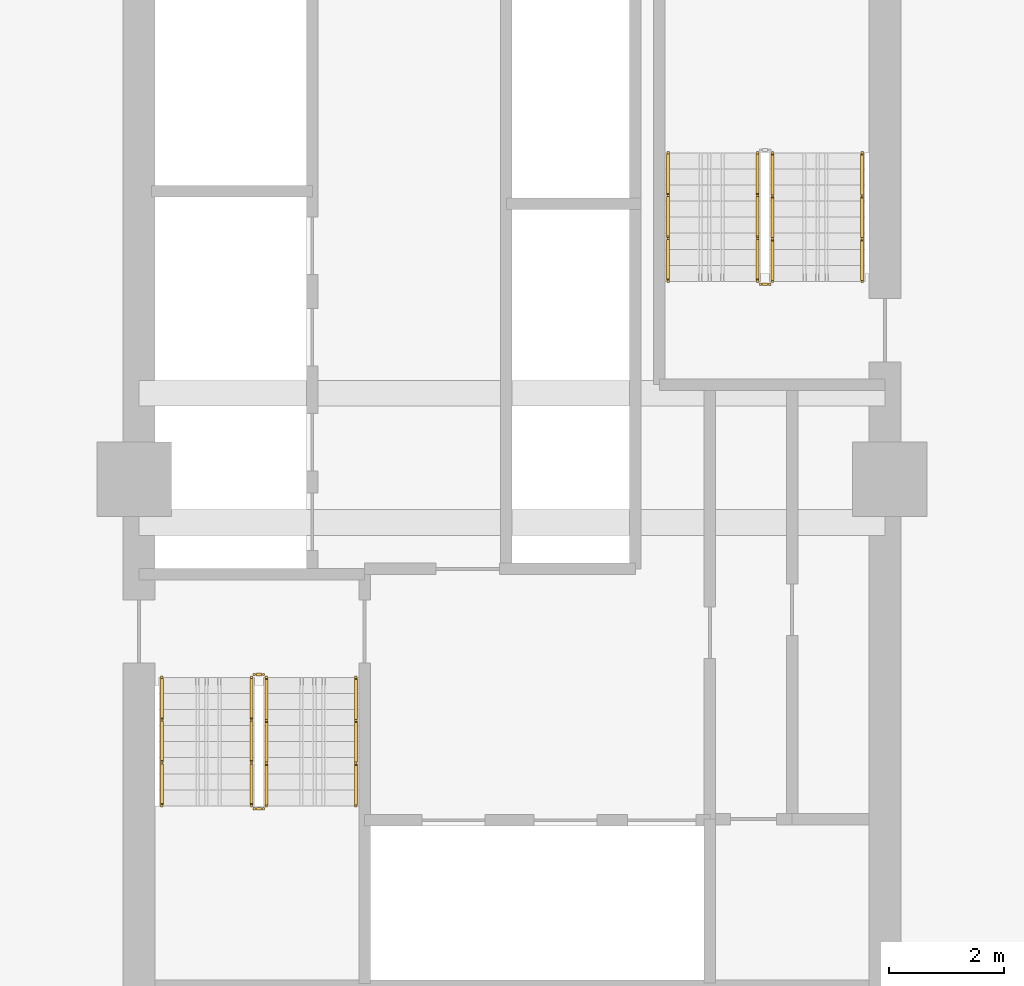
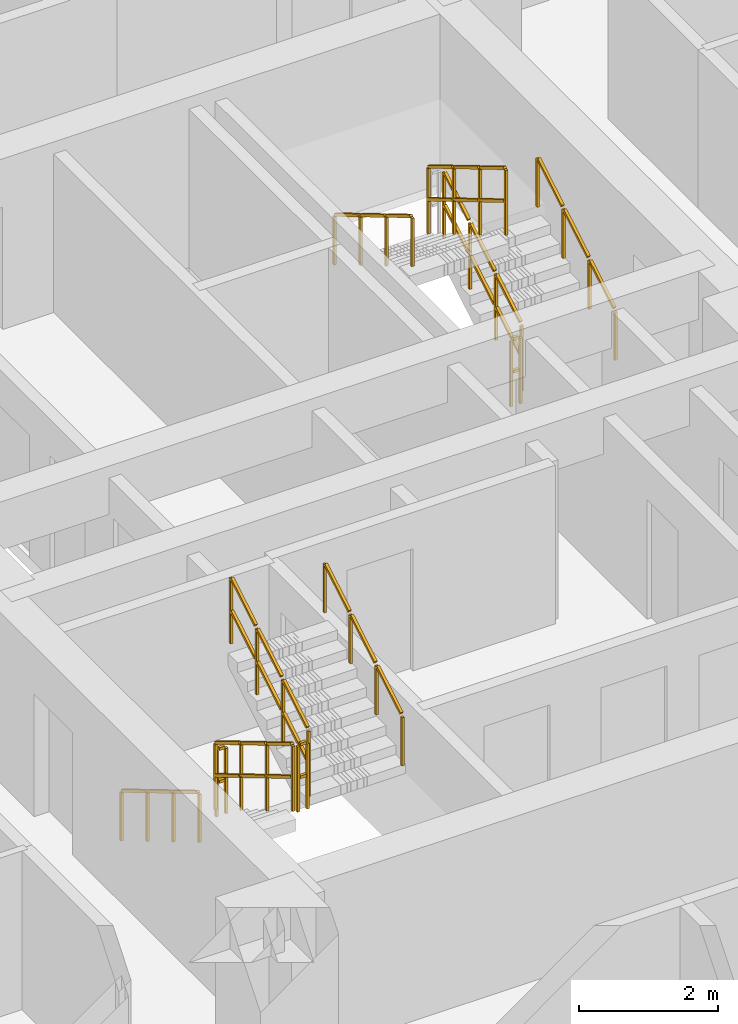
# One storey, part 12 of 14: 11 railings.
"""IFC4 building model written with IfcOpenShell, lengths in metres."""

from ifc_helpers import new_model, si_unit, direction, frame, origin, origin_2d, place, context, subcontext, project, spatial, rectangle, extrude, material, type_object, element, save


model = new_model("IFC4")

# Units and contexts
model_context = context("Model", 3, precision=1e-05, world=origin(), true_north=direction((0.0, 1.0)))
body_context = subcontext(model_context, "Body", "Model", "MODEL_VIEW")
ifc_project = project(units=[si_unit("LENGTHUNIT", "METRE"), si_unit("AREAUNIT", "SQUARE_METRE"), si_unit("VOLUMEUNIT", "CUBIC_METRE"), si_unit("PLANEANGLEUNIT", "RADIAN"), si_unit("MASSUNIT", "GRAM", prefix="KILO")], contexts=[model_context])

# Site, building, storey
site_placement = place(None, origin())
site = spatial("IfcSite", under=ifc_project, at=site_placement, CompositionType="ELEMENT")
building_placement = place(site_placement, origin())
building = spatial("IfcBuilding", under=site, at=building_placement, Name="Saelheon Loggia Tower", CompositionType="ELEMENT")
storey_placement = place(building_placement, frame((0.0, 0.0, 86.85009765625)))
storey = spatial("IfcBuildingStorey", under=building, at=storey_placement, Name="L27", CompositionType="ELEMENT", Elevation=86.85009765625)

# Railings
ifc_material_1 = material(Name="Galvanised Steel S275 Stairwell Guardrail", Category="steel")
railing_type_1 = type_object("IfcRailingType", Name="Guard_StairWell_RL_STG", PredefinedType="GUARDRAIL", material=ifc_material_1)
railing_1_placement = place(storey_placement, frame((33.4599609375, 23.550048828125, 0.16650390625)))
element("IfcRailing", 1, at=railing_1_placement, inside=storey, type_object=railing_type_1, Name="L27 ST1 stair guard 1", PredefinedType="GUARDRAIL", context=body_context, shape_type="SweptSolid", body=[
    extrude(rectangle(XDim=0.048095703125, YDim=0.048095703125, at=origin_2d()), frame((0.0, -0.028564453125, 1.19287109375), z_axis=(0.0, -0.859264461869, 0.511531606619), x_axis=(1.0, 0.0, 0.0)), (0.0, 0.0, 1.0), 0.802490234375),
    extrude(rectangle(XDim=0.048095703125, YDim=0.048095703125, at=origin_2d()), frame((0.0, -0.028564453125, 0.616943359375), z_axis=(0.0, -0.859264461869, 0.511531606619), x_axis=(1.0, 0.0, 0.0)), (0.0, 0.0, 1.0), 0.802490234375),
    extrude(rectangle(XDim=0.048095703125, YDim=0.048095703125, at=origin_2d()), frame((0.0, -0.775146484375, 1.637451171875), z_axis=(0.0, -0.859264461869, 0.511531606619), x_axis=(1.0, 0.0, 0.0)), (0.0, 0.0, 1.0), 0.802490234375),
    extrude(rectangle(XDim=0.048095703125, YDim=0.048095703125, at=origin_2d()), frame((0.0, -0.775146484375, 1.0615234375), z_axis=(0.0, -0.859264461869, 0.511531606619), x_axis=(1.0, 0.0, 0.0)), (0.0, 0.0, 1.0), 0.802490234375),
    extrude(rectangle(XDim=0.048095703125, YDim=0.048095703125, at=origin_2d()), frame((0.0, -1.52197265625, 2.081787109375), z_axis=(0.0, -0.859264461869, 0.511531606619), x_axis=(1.0, 0.0, 0.0)), (0.0, 0.0, 1.0), 0.802490234375),
    extrude(rectangle(XDim=0.048095703125, YDim=0.048095703125, at=origin_2d()), frame((0.0, -1.52197265625, 1.505859375), z_axis=(0.0, -0.859264461869, 0.511531606619), x_axis=(1.0, 0.0, 0.0)), (0.0, 0.0, 1.0), 0.802490234375),
    extrude(rectangle(XDim=0.0419921875, YDim=0.0419921875, at=origin_2d()), origin(), (0.0, 0.0, 1.0), 1.14794921875),
    extrude(rectangle(XDim=0.0419921875, YDim=0.0419921875, at=origin_2d()), frame((0.0, -0.74658203125, 0.444580078125)), (0.0, 0.0, 1.0), 1.14794921875),
    extrude(rectangle(XDim=0.0419921875, YDim=0.0419921875, at=origin_2d()), frame((0.0, -1.493408203125, 0.888916015625)), (0.0, 0.0, 1.0), 1.14794921875),
    extrude(rectangle(XDim=0.0419921875, YDim=0.0419921875, at=origin_2d()), frame((0.0, -2.239990234375, 1.33349609375)), (0.0, 0.0, 1.0), 1.14794921875),
])
railing_2_placement = place(storey_placement, frame((33.510009765625, 21.260009765625, 1.5)))
element("IfcRailing", 2, at=railing_2_placement, inside=storey, type_object=railing_type_1, Name="L27 ST1 stair guard 2", PredefinedType="GUARDRAIL", context=body_context, shape_type="SweptSolid", body=[
    extrude(rectangle(XDim=0.048095703125, YDim=0.048095703125, at=origin_2d()), frame((0.033203125, 0.0, 1.17578125), z_axis=(1.0, 0.0, 0.0), x_axis=(0.0, 1.0, 0.0)), (0.0, 0.0, 1.0), 0.093505859375),
    extrude(rectangle(XDim=0.048095703125, YDim=0.048095703125, at=origin_2d()), frame((0.033203125, 0.0, 0.60009765625), z_axis=(1.0, 0.0, 0.0), x_axis=(0.0, 1.0, 0.0)), (0.0, 0.0, 1.0), 0.093505859375),
    extrude(rectangle(XDim=0.0419921875, YDim=0.0419921875, at=origin_2d()), origin(), (0.0, 0.0, 1.0), 1.14794921875),
    extrude(rectangle(XDim=0.0419921875, YDim=0.0419921875, at=origin_2d()), frame((0.159912109375, 0.0, 0.0)), (0.0, 0.0, 1.0), 1.14794921875),
])
railing_3_placement = place(storey_placement, frame((33.719970703125, 21.31005859375, 1.66650390625)))
element("IfcRailing", 3, at=railing_3_placement, inside=storey, type_object=railing_type_1, Name="L27 ST1 stair guard 3", PredefinedType="GUARDRAIL", context=body_context, shape_type="SweptSolid", body=[
    extrude(rectangle(XDim=0.048095703125, YDim=0.048095703125, at=origin_2d()), frame((0.0, 0.028564453125, 1.19287109375), z_axis=(0.0, 0.859264461869, 0.511531606619), x_axis=(-1.0, 0.0, 0.0)), (0.0, 0.0, 1.0), 0.802490234375),
    extrude(rectangle(XDim=0.048095703125, YDim=0.048095703125, at=origin_2d()), frame((0.0, 0.028564453125, 0.616943359375), z_axis=(0.0, 0.859264461869, 0.511531606619), x_axis=(-1.0, 0.0, 0.0)), (0.0, 0.0, 1.0), 0.802490234375),
    extrude(rectangle(XDim=0.048095703125, YDim=0.048095703125, at=origin_2d()), frame((0.0, 0.775146484375, 1.637451171875), z_axis=(0.0, 0.859264461869, 0.511531606619), x_axis=(-1.0, 0.0, 0.0)), (0.0, 0.0, 1.0), 0.802490234375),
    extrude(rectangle(XDim=0.048095703125, YDim=0.048095703125, at=origin_2d()), frame((0.0, 0.775146484375, 1.0615234375), z_axis=(0.0, 0.859264461869, 0.511531606619), x_axis=(-1.0, 0.0, 0.0)), (0.0, 0.0, 1.0), 0.802490234375),
    extrude(rectangle(XDim=0.048095703125, YDim=0.048095703125, at=origin_2d()), frame((0.0, 1.52197265625, 2.081787109375), z_axis=(0.0, 0.859264461869, 0.511531606619), x_axis=(-1.0, 0.0, 0.0)), (0.0, 0.0, 1.0), 0.802490234375),
    extrude(rectangle(XDim=0.048095703125, YDim=0.048095703125, at=origin_2d()), frame((0.0, 1.52197265625, 1.505859375), z_axis=(0.0, 0.859264461869, 0.511531606619), x_axis=(-1.0, 0.0, 0.0)), (0.0, 0.0, 1.0), 0.802490234375),
    extrude(rectangle(XDim=0.0419921875, YDim=0.0419921875, at=origin_2d()), origin(), (0.0, 0.0, 1.0), 1.14794921875),
    extrude(rectangle(XDim=0.0419921875, YDim=0.0419921875, at=origin_2d()), frame((0.0, 0.74658203125, 0.444580078125)), (0.0, 0.0, 1.0), 1.14794921875),
    extrude(rectangle(XDim=0.0419921875, YDim=0.0419921875, at=origin_2d()), frame((0.0, 1.493408203125, 0.888916015625)), (0.0, 0.0, 1.0), 1.14794921875),
    extrude(rectangle(XDim=0.0419921875, YDim=0.0419921875, at=origin_2d()), frame((0.0, 2.239990234375, 1.33349609375)), (0.0, 0.0, 1.0), 1.14794921875),
])
railing_4_placement = place(storey_placement, frame((33.510009765625, 23.60009765625, 0.0)))
element("IfcRailing", 4, at=railing_4_placement, inside=storey, type_object=railing_type_1, Name="L27 ST1 stair guard 4", PredefinedType="GUARDRAIL", context=body_context, shape_type="SweptSolid", body=[
    extrude(rectangle(XDim=0.048095703125, YDim=0.048095703125, at=origin_2d()), frame((0.033203125, 0.0, 1.17578125), z_axis=(1.0, 0.0, 0.0), x_axis=(0.0, 1.0, 0.0)), (0.0, 0.0, 1.0), 0.093505859375),
    extrude(rectangle(XDim=0.048095703125, YDim=0.048095703125, at=origin_2d()), frame((0.033203125, 0.0, 0.60009765625), z_axis=(1.0, 0.0, 0.0), x_axis=(0.0, 1.0, 0.0)), (0.0, 0.0, 1.0), 0.093505859375),
    extrude(rectangle(XDim=0.0419921875, YDim=0.0419921875, at=origin_2d()), origin(), (0.0, 0.0, 1.0), 1.14794921875),
    extrude(rectangle(XDim=0.0419921875, YDim=0.0419921875, at=origin_2d()), frame((0.159912109375, 0.0, 0.0)), (0.0, 0.0, 1.0), 1.14794921875),
])
railing_5_placement = place(storey_placement, frame((42.5400390625, 30.449951171875, 0.16650390625)))
element("IfcRailing", 5, at=railing_5_placement, inside=storey, type_object=railing_type_1, Name="L27 ST2 stair guard 1", PredefinedType="GUARDRAIL", context=body_context, shape_type="SweptSolid", body=[
    extrude(rectangle(XDim=0.048095703125, YDim=0.048095703125, at=origin_2d()), frame((0.0, 0.028564453125, 1.19287109375), z_axis=(0.0, 0.859264461869, 0.511531606619), x_axis=(-1.0, 0.0, 0.0)), (0.0, 0.0, 1.0), 0.802490234375),
    extrude(rectangle(XDim=0.048095703125, YDim=0.048095703125, at=origin_2d()), frame((0.0, 0.028564453125, 0.616943359375), z_axis=(0.0, 0.859264461869, 0.511531606619), x_axis=(-1.0, 0.0, 0.0)), (0.0, 0.0, 1.0), 0.802490234375),
    extrude(rectangle(XDim=0.048095703125, YDim=0.048095703125, at=origin_2d()), frame((0.0, 0.775146484375, 1.637451171875), z_axis=(0.0, 0.859264461869, 0.511531606619), x_axis=(-1.0, 0.0, 0.0)), (0.0, 0.0, 1.0), 0.802490234375),
    extrude(rectangle(XDim=0.048095703125, YDim=0.048095703125, at=origin_2d()), frame((0.0, 0.775146484375, 1.0615234375), z_axis=(0.0, 0.859264461869, 0.511531606619), x_axis=(-1.0, 0.0, 0.0)), (0.0, 0.0, 1.0), 0.802490234375),
    extrude(rectangle(XDim=0.048095703125, YDim=0.048095703125, at=origin_2d()), frame((0.0, 1.52197265625, 2.081787109375), z_axis=(0.0, 0.859264461869, 0.511531606619), x_axis=(-1.0, 0.0, 0.0)), (0.0, 0.0, 1.0), 0.802490234375),
    extrude(rectangle(XDim=0.048095703125, YDim=0.048095703125, at=origin_2d()), frame((0.0, 1.52197265625, 1.505859375), z_axis=(0.0, 0.859264461869, 0.511531606619), x_axis=(-1.0, 0.0, 0.0)), (0.0, 0.0, 1.0), 0.802490234375),
    extrude(rectangle(XDim=0.0419921875, YDim=0.0419921875, at=origin_2d()), origin(), (0.0, 0.0, 1.0), 1.14794921875),
    extrude(rectangle(XDim=0.0419921875, YDim=0.0419921875, at=origin_2d()), frame((0.0, 0.74658203125, 0.444580078125)), (0.0, 0.0, 1.0), 1.14794921875),
    extrude(rectangle(XDim=0.0419921875, YDim=0.0419921875, at=origin_2d()), frame((0.0, 1.493408203125, 0.888916015625)), (0.0, 0.0, 1.0), 1.14794921875),
    extrude(rectangle(XDim=0.0419921875, YDim=0.0419921875, at=origin_2d()), frame((0.0, 2.239990234375, 1.33349609375)), (0.0, 0.0, 1.0), 1.14794921875),
])
railing_6_placement = place(storey_placement, frame((42.280029296875, 32.68994140625, 1.66650390625)))
element("IfcRailing", 6, at=railing_6_placement, inside=storey, type_object=railing_type_1, Name="L27 ST2 stair guard 3", PredefinedType="GUARDRAIL", context=body_context, shape_type="SweptSolid", body=[
    extrude(rectangle(XDim=0.048095703125, YDim=0.048095703125, at=origin_2d()), frame((0.0, -0.028564453125, 1.19287109375), z_axis=(0.0, -0.859264461869, 0.511531606619), x_axis=(1.0, 0.0, 0.0)), (0.0, 0.0, 1.0), 0.802490234375),
    extrude(rectangle(XDim=0.048095703125, YDim=0.048095703125, at=origin_2d()), frame((0.0, -0.028564453125, 0.616943359375), z_axis=(0.0, -0.859264461869, 0.511531606619), x_axis=(1.0, 0.0, 0.0)), (0.0, 0.0, 1.0), 0.802490234375),
    extrude(rectangle(XDim=0.048095703125, YDim=0.048095703125, at=origin_2d()), frame((0.0, -0.775146484375, 1.637451171875), z_axis=(0.0, -0.859264461869, 0.511531606619), x_axis=(1.0, 0.0, 0.0)), (0.0, 0.0, 1.0), 0.802490234375),
    extrude(rectangle(XDim=0.048095703125, YDim=0.048095703125, at=origin_2d()), frame((0.0, -0.775146484375, 1.0615234375), z_axis=(0.0, -0.859264461869, 0.511531606619), x_axis=(1.0, 0.0, 0.0)), (0.0, 0.0, 1.0), 0.802490234375),
    extrude(rectangle(XDim=0.048095703125, YDim=0.048095703125, at=origin_2d()), frame((0.0, -1.52197265625, 2.081787109375), z_axis=(0.0, -0.859264461869, 0.511531606619), x_axis=(1.0, 0.0, 0.0)), (0.0, 0.0, 1.0), 0.802490234375),
    extrude(rectangle(XDim=0.048095703125, YDim=0.048095703125, at=origin_2d()), frame((0.0, -1.52197265625, 1.505859375), z_axis=(0.0, -0.859264461869, 0.511531606619), x_axis=(1.0, 0.0, 0.0)), (0.0, 0.0, 1.0), 0.802490234375),
    extrude(rectangle(XDim=0.0419921875, YDim=0.0419921875, at=origin_2d()), origin(), (0.0, 0.0, 1.0), 1.14794921875),
    extrude(rectangle(XDim=0.0419921875, YDim=0.0419921875, at=origin_2d()), frame((0.0, -0.74658203125, 0.444580078125)), (0.0, 0.0, 1.0), 1.14794921875),
    extrude(rectangle(XDim=0.0419921875, YDim=0.0419921875, at=origin_2d()), frame((0.0, -1.493408203125, 0.888916015625)), (0.0, 0.0, 1.0), 1.14794921875),
    extrude(rectangle(XDim=0.0419921875, YDim=0.0419921875, at=origin_2d()), frame((0.0, -2.239990234375, 1.33349609375)), (0.0, 0.0, 1.0), 1.14794921875),
])
railing_7_placement = place(storey_placement, frame((42.489990234375, 30.39990234375, 0.0)))
element("IfcRailing", 7, at=railing_7_placement, inside=storey, type_object=railing_type_1, Name="L27 ST2 stair guard 4", PredefinedType="GUARDRAIL", context=body_context, shape_type="SweptSolid", body=[
    extrude(rectangle(XDim=0.048095703125, YDim=0.048095703125, at=origin_2d()), frame((-0.033203125, 0.0, 1.17578125), z_axis=(-1.0, 0.0, 0.0), x_axis=(0.0, -1.0, 0.0)), (0.0, 0.0, 1.0), 0.093505859375),
    extrude(rectangle(XDim=0.048095703125, YDim=0.048095703125, at=origin_2d()), frame((-0.033203125, 0.0, 0.60009765625), z_axis=(-1.0, 0.0, 0.0), x_axis=(0.0, -1.0, 0.0)), (0.0, 0.0, 1.0), 0.093505859375),
    extrude(rectangle(XDim=0.0419921875, YDim=0.0419921875, at=origin_2d()), origin(), (0.0, 0.0, 1.0), 1.14794921875),
    extrude(rectangle(XDim=0.0419921875, YDim=0.0419921875, at=origin_2d()), frame((-0.159912109375, 0.0, 0.0)), (0.0, 0.0, 1.0), 1.14794921875),
])
ifc_material_2 = material(Name="Stainless Steel 304 Tubular Handrail", Category="steel")
railing_type_2 = type_object("IfcRailingType", Name="Handrail_Stair_RL_HR1", PredefinedType="HANDRAIL", material=ifc_material_2)
railing_8_placement = place(storey_placement, frame((31.89990234375, 23.550048828125, 0.16650390625)))
element("IfcRailing", 8, at=railing_8_placement, inside=storey, type_object=railing_type_2, Name="L27 ST1 stair handrail 1", PredefinedType="HANDRAIL", context=body_context, shape_type="SweptSolid", body=[
    extrude(rectangle(XDim=0.048095703125, YDim=0.048095703125, at=origin_2d()), frame((0.0, -0.028564453125, 0.892822265625), z_axis=(0.0, -0.859264461869, 0.511531606619), x_axis=(1.0, 0.0, 0.0)), (0.0, 0.0, 1.0), 0.802490234375),
    extrude(rectangle(XDim=0.048095703125, YDim=0.048095703125, at=origin_2d()), frame((0.0, -0.775146484375, 1.33740234375), z_axis=(0.0, -0.859264461869, 0.511531606619), x_axis=(1.0, 0.0, 0.0)), (0.0, 0.0, 1.0), 0.802490234375),
    extrude(rectangle(XDim=0.048095703125, YDim=0.048095703125, at=origin_2d()), frame((0.0, -1.52197265625, 1.78173828125), z_axis=(0.0, -0.859264461869, 0.511531606619), x_axis=(1.0, 0.0, 0.0)), (0.0, 0.0, 1.0), 0.802490234375),
    extrude(rectangle(XDim=0.0419921875, YDim=0.0419921875, at=origin_2d()), origin(), (0.0, 0.0, 1.0), 0.847900390625),
    extrude(rectangle(XDim=0.0419921875, YDim=0.0419921875, at=origin_2d()), frame((0.0, -0.74658203125, 0.444580078125)), (0.0, 0.0, 1.0), 0.847900390625),
    extrude(rectangle(XDim=0.0419921875, YDim=0.0419921875, at=origin_2d()), frame((0.0, -1.493408203125, 0.888916015625)), (0.0, 0.0, 1.0), 0.847900390625),
    extrude(rectangle(XDim=0.0419921875, YDim=0.0419921875, at=origin_2d()), frame((0.0, -2.239990234375, 1.33349609375)), (0.0, 0.0, 1.0), 0.847900390625),
])
for number, where, name in (
    (9, (35.280029296875, 21.31005859375, 1.66650390625), "L27 ST1 stair handrail 2"),
    (10, (44.10009765625, 30.449951171875, 0.16650390625), "L27 ST2 stair handrail 1"),
):
    element("IfcRailing", number, at=place(storey_placement, frame(where)), inside=storey, type_object=railing_type_2, Name=name, PredefinedType="HANDRAIL", context=body_context, shape_type="SweptSolid", body=[
        extrude(rectangle(XDim=0.048095703125, YDim=0.048095703125, at=origin_2d()), frame((0.0, 0.028564453125, 0.892822265625), z_axis=(0.0, 0.859264461869, 0.511531606619), x_axis=(-1.0, 0.0, 0.0)), (0.0, 0.0, 1.0), 0.802490234375),
        extrude(rectangle(XDim=0.048095703125, YDim=0.048095703125, at=origin_2d()), frame((0.0, 0.775146484375, 1.33740234375), z_axis=(0.0, 0.859264461869, 0.511531606619), x_axis=(-1.0, 0.0, 0.0)), (0.0, 0.0, 1.0), 0.802490234375),
        extrude(rectangle(XDim=0.048095703125, YDim=0.048095703125, at=origin_2d()), frame((0.0, 1.52197265625, 1.78173828125), z_axis=(0.0, 0.859264461869, 0.511531606619), x_axis=(-1.0, 0.0, 0.0)), (0.0, 0.0, 1.0), 0.802490234375),
        extrude(rectangle(XDim=0.0419921875, YDim=0.0419921875, at=origin_2d()), origin(), (0.0, 0.0, 1.0), 0.847900390625),
        extrude(rectangle(XDim=0.0419921875, YDim=0.0419921875, at=origin_2d()), frame((0.0, 0.74658203125, 0.444580078125)), (0.0, 0.0, 1.0), 0.847900390625),
        extrude(rectangle(XDim=0.0419921875, YDim=0.0419921875, at=origin_2d()), frame((0.0, 1.493408203125, 0.888916015625)), (0.0, 0.0, 1.0), 0.847900390625),
        extrude(rectangle(XDim=0.0419921875, YDim=0.0419921875, at=origin_2d()), frame((0.0, 2.239990234375, 1.33349609375)), (0.0, 0.0, 1.0), 0.847900390625),
    ])
railing_9_placement = place(storey_placement, frame((40.719970703125, 32.68994140625, 1.66650390625)))
element("IfcRailing", 11, at=railing_9_placement, inside=storey, type_object=railing_type_2, Name="L27 ST2 stair handrail 2", PredefinedType="HANDRAIL", context=body_context, shape_type="SweptSolid", body=[
    extrude(rectangle(XDim=0.048095703125, YDim=0.048095703125, at=origin_2d()), frame((0.0, -0.028564453125, 0.892822265625), z_axis=(0.0, -0.859264461869, 0.511531606619), x_axis=(1.0, 0.0, 0.0)), (0.0, 0.0, 1.0), 0.802490234375),
    extrude(rectangle(XDim=0.048095703125, YDim=0.048095703125, at=origin_2d()), frame((0.0, -0.775146484375, 1.33740234375), z_axis=(0.0, -0.859264461869, 0.511531606619), x_axis=(1.0, 0.0, 0.0)), (0.0, 0.0, 1.0), 0.802490234375),
    extrude(rectangle(XDim=0.048095703125, YDim=0.048095703125, at=origin_2d()), frame((0.0, -1.52197265625, 1.78173828125), z_axis=(0.0, -0.859264461869, 0.511531606619), x_axis=(1.0, 0.0, 0.0)), (0.0, 0.0, 1.0), 0.802490234375),
    extrude(rectangle(XDim=0.0419921875, YDim=0.0419921875, at=origin_2d()), origin(), (0.0, 0.0, 1.0), 0.847900390625),
    extrude(rectangle(XDim=0.0419921875, YDim=0.0419921875, at=origin_2d()), frame((0.0, -0.74658203125, 0.444580078125)), (0.0, 0.0, 1.0), 0.847900390625),
    extrude(rectangle(XDim=0.0419921875, YDim=0.0419921875, at=origin_2d()), frame((0.0, -1.493408203125, 0.888916015625)), (0.0, 0.0, 1.0), 0.847900390625),
    extrude(rectangle(XDim=0.0419921875, YDim=0.0419921875, at=origin_2d()), frame((0.0, -2.239990234375, 1.33349609375)), (0.0, 0.0, 1.0), 0.847900390625),
])

save(model, "model.ifc")
